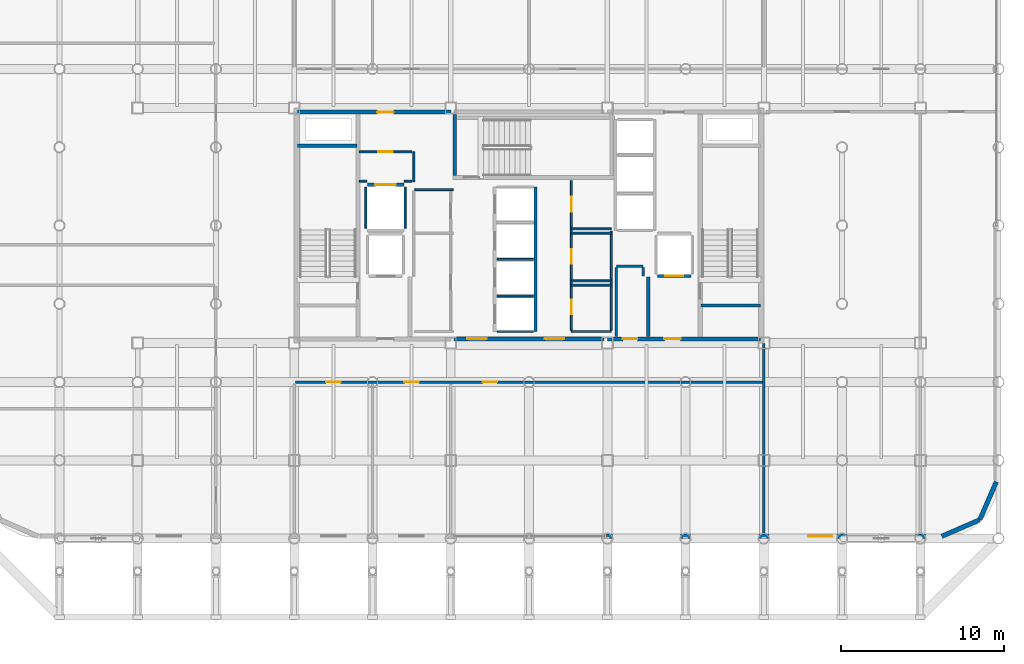
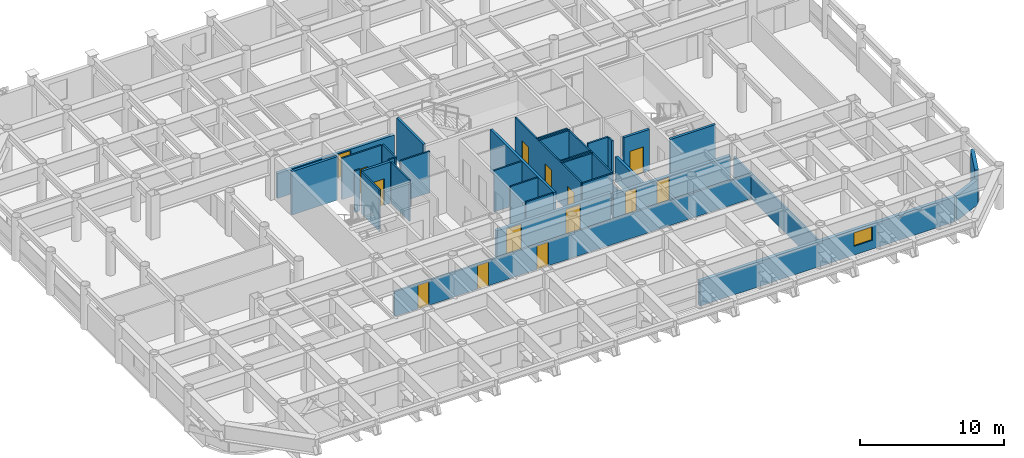
# One storey, part 21 of 24: 35 walls, 14 doors, 1 window, 15 openings.
"""IFC4 building model written with IfcOpenShell, lengths in metres."""

from ifc_helpers import new_model, si_unit, direction, frame, frame_2d, origin, place, context, subcontext, project, spatial, rectangle, extrude, material, layer, layer_set, type_object, element, fill, save


model = new_model("IFC4")

# Units and contexts
model_context = context("Model", 3, precision=1e-05, world=origin(), true_north=direction((0.0, 1.0)))
body_context = subcontext(model_context, "Body", "Model", "MODEL_VIEW")
ifc_project = project(units=[si_unit("LENGTHUNIT", "METRE"), si_unit("AREAUNIT", "SQUARE_METRE"), si_unit("VOLUMEUNIT", "CUBIC_METRE"), si_unit("PLANEANGLEUNIT", "RADIAN"), si_unit("MASSUNIT", "GRAM", prefix="KILO")], contexts=[model_context])

# Site, building, storey
site_placement = place(None, origin())
site = spatial("IfcSite", under=ifc_project, at=site_placement, CompositionType="ELEMENT")
building_placement = place(site_placement, origin())
building = spatial("IfcBuilding", under=site, at=building_placement, Name="Kallvorn Hotel Tower", CompositionType="ELEMENT")
storey_placement = place(building_placement, frame((0.0, 0.0, 150.699951171875)))
storey = spatial("IfcBuildingStorey", under=building, at=storey_placement, Name="L37", CompositionType="ELEMENT", Elevation=150.699951171875)

# Walls
ifc_material_1 = material(Name="Precast basalt-clad insulated concrete wall C40/50", Category="masonry")
ifc_layer_1 = layer(ifc_material_1, 0.280029296875)
ifc_layer_set_1 = layer_set([ifc_layer_1], Name="WL_EXT_LOGGIA_280")
wall_type_1 = type_object("IfcWallType", Name="WL_EXT_LOGGIA_280", PredefinedType="SOLIDWALL", material=ifc_layer_set_1)
wall_1_placement = place(storey_placement, frame((25.32080078125, -19.057861328125, 0.0), z_axis=(0.0, 0.0, 1.0), x_axis=(0.917060872934, 0.398747232384, 0.0)))
element("IfcWall", 1, at=wall_1_placement, inside=storey, type_object=wall_type_1, Name="L37 Rounded Corner Exterior Wall SE1", PredefinedType="SOLIDWALL", context=body_context, shape_type="SweptSolid", body=[
    extrude(rectangle(XDim=2.5361328125, YDim=0.280029296875, at=frame_2d((1.26806640625, 0.0))), origin(), (0.0, 0.0, 1.0), 2.1201171875),
])
wall_2_placement = place(storey_placement, frame((27.646484375, -18.046630859375, 0.0), z_axis=(0.0, 0.0, 1.0), x_axis=(0.398792985289, 0.917040977756, 0.0)))
element("IfcWall", 2, at=wall_2_placement, inside=storey, type_object=wall_type_1, Name="L37 Rounded Corner Exterior Wall SE2", PredefinedType="SOLIDWALL", context=body_context, shape_type="SweptSolid", body=[
    extrude(rectangle(XDim=2.536376953125, YDim=0.280029296875, at=frame_2d((1.26806640625, 0.0))), origin(), (0.0, 0.0, 1.0), 2.8701171875),
])

# Wall, opening, window
wall_3_placement = place(storey_placement, frame((4.75, -19.06005859375, 0.0), z_axis=(0.0, 0.0, 1.0), x_axis=(1.0, 0.0, 0.0)))
wall_3 = element("IfcWall", 3, at=wall_3_placement, inside=storey, type_object=wall_type_1, Name="L37 Exterior Envelope Wall EW-L37-SE", PredefinedType="SOLIDWALL", context=body_context, shape_type="SweptSolid", body=[
    extrude(rectangle(XDim=20.449951171875, YDim=0.280029296875, at=frame_2d((10.22509765625, 0.0))), origin(), (0.0, 0.0, 1.0), 2.1201171875),
])
opening_1_placement = place(wall_3_placement, frame((12.360107421875, 0.0, 0.75)))
opening_1 = element("IfcOpeningElement", 4, at=opening_1_placement, cuts=wall_3, Name="Opening W05A", PredefinedType="OPENING", context=body_context, shape_type="SweptSolid", body=[
    extrude(rectangle(XDim=1.5, YDim=1.14990234375, at=frame_2d((0.75, 0.574951171875))), frame((0.0, 0.155029296875, 0.0), z_axis=(0.0, -1.0, 0.0), x_axis=(1.0, 0.0, 0.0)), (0.0, 0.0, 1.0), 0.31005859375),
])
ifc_material_2 = material(Name="Double-glazed low-e solar-control dark glass", Category="glass")
window_type = type_object("IfcWindowType", Name="WN_HTL_1500x1150", PartitioningType="SINGLE_PANEL", PredefinedType="WINDOW", material=ifc_material_2)
window_placement = place(opening_1_placement, origin())
window = element("IfcWindow", 5, at=window_placement, inside=storey, type_object=window_type, Name="L37 Guestroom Exterior Window 05", OverallHeight=1.14990234375, OverallWidth=1.5, PartitioningType="SINGLE_PANEL", PredefinedType="WINDOW", context=body_context, shape_type="SweptSolid", body=[
    extrude(rectangle(XDim=1.5, YDim=1.14990234375, at=frame_2d((0.75, 0.574951171875))), frame((0.0, 0.030029296875, 0.0), z_axis=(0.0, -1.0, 0.0), x_axis=(1.0, 0.0, 0.0)), (0.0, 0.0, 1.0), 0.06005859375),
])
fill(opening_1, window)

# Walls
ifc_material_3 = material(Name="Concrete C40/50", Category="concrete")
ifc_layer_2 = layer(ifc_material_3, 0.219970703125)
ifc_layer_set_2 = layer_set([ifc_layer_2], Name="WL_FFL_220")
wall_type_2 = type_object("IfcWallType", Name="WL_FFL_220", PredefinedType="SOLIDWALL", material=ifc_layer_set_2)
wall_4_placement = place(storey_placement, frame((7.300048828125, -6.820068359375, 0.0), z_axis=(0.0, 0.0, 1.0), x_axis=(0.0, 1.0, 0.0)))
element("IfcWall", 6, at=wall_4_placement, inside=storey, type_object=wall_type_2, Name="L37 Firefighting Lobby East Divider Wall", PredefinedType="SOLIDWALL", context=body_context, shape_type="SweptSolid", body=[
    extrude(rectangle(XDim=3.670166015625, YDim=0.219970703125, at=frame_2d((1.8349609375, 0.0))), origin(), (0.0, 0.0, 1.0), 2.1201171875),
])
ifc_material_4 = material(Name="Concrete C40/50", Category="concrete")
ifc_layer_3 = layer(ifc_material_4, 0.199951171875)
ifc_layer_set_3 = layer_set([ifc_layer_3], Name="WL_HOIST_200")
wall_type_3 = type_object("IfcWallType", Name="WL_HOIST_200", PredefinedType="SOLIDWALL", material=ifc_layer_set_3)
for number, where, z_axis, x_axis, name in (
    (7, (-14.199951171875, 4.89990234375, -0.179931640625), (0.0, 0.0, 1.0), (1.0, 0.0, 0.0), "L37 Stair ST1 North Wall"),
    (8, (10.550048828125, -4.89990234375, -0.179931640625), (0.0, 0.0, 1.0), (1.0, 0.0, 0.0), "L37 Stair ST2 South Wall"),
):
    element("IfcWall", number, at=place(storey_placement, frame(where, z_axis=z_axis, x_axis=x_axis)), inside=storey, type_object=wall_type_3, Name=name, PredefinedType="SOLIDWALL", context=body_context, shape_type="SweptSolid", body=[
        extrude(rectangle(XDim=3.64990234375, YDim=0.199951171875, at=frame_2d((1.824951171875, 0.0))), origin(), (0.0, 0.0, 1.0), 3.699951171875),
    ])
wall_5_placement = place(storey_placement, frame((-4.550048828125, 3.080078125, -0.179931640625), z_axis=(0.0, 0.0, 1.0), x_axis=(0.0, 1.0, 0.0)))
element("IfcWall", 9, at=wall_5_placement, inside=storey, type_object=wall_type_3, Name="L37 Stair ST3 West Wall", PredefinedType="SOLIDWALL", context=body_context, shape_type="SweptSolid", body=[
    extrude(rectangle(XDim=3.739990234375, YDim=0.199951171875, at=frame_2d((1.8701171875, 0.0))), origin(), (0.0, 0.0, 1.0), 3.699951171875),
])
wall_6_placement = place(storey_placement, frame((0.39990234375, -6.5, 0.0), z_axis=(0.0, 0.0, 1.0), x_axis=(0.0, 1.0, 0.0)))
element("IfcWall", 10, at=wall_6_placement, inside=storey, type_object=wall_type_3, Name="L37 Lift Bank B2 Rear Shaft Wall", PredefinedType="SOLIDWALL", context=body_context, shape_type="SweptSolid", body=[
    extrude(rectangle(XDim=8.85009765625, YDim=0.199951171875, at=frame_2d((4.425048828125, 0.0))), origin(), (0.0, 0.0, 1.0), 3.52001953125),
])

# Wall, opening, door
wall_7_placement = place(storey_placement, frame((7.8798828125, -3.10009765625, 0.0), z_axis=(0.0, 0.0, 1.0), x_axis=(1.0, 0.0, 0.0)))
wall_7 = element("IfcWall", 11, at=wall_7_placement, inside=storey, type_object=wall_type_3, Name="L37 FL-2 Landing Wall", PredefinedType="SOLIDWALL", context=body_context, shape_type="SweptSolid", body=[
    extrude(rectangle(XDim=2.0400390625, YDim=0.199951171875, at=frame_2d((1.02001953125, 0.0))), origin(), (0.0, 0.0, 1.0), 3.52001953125),
])
opening_2_placement = place(wall_7_placement, frame((0.469970703125, 0.0, 0.0)))
opening_2 = element("IfcOpeningElement", 12, at=opening_2_placement, cuts=wall_7, Name="Opening LD-FL-2", PredefinedType="OPENING", context=body_context, shape_type="SweptSolid", body=[
    extrude(rectangle(XDim=1.10009765625, YDim=2.199951171875, at=frame_2d((0.550048828125, 1.10009765625))), frame((0.0, 0.114990234375, 0.0), z_axis=(0.0, -1.0, 0.0), x_axis=(1.0, 0.0, 0.0)), (0.0, 0.0, 1.0), 0.22998046875),
])
ifc_material_5 = material(Name="Brushed stainless-steel automatic sliding lift landing door", Category="steel")
door_type_1 = type_object("IfcDoorType", Name="LD_PASS_1100x2200", OperationType="SLIDING_TO_LEFT", PredefinedType="DOOR", material=ifc_material_5)
door_1_placement = place(opening_2_placement, origin())
door_1 = element("IfcDoor", 13, at=door_1_placement, inside=storey, type_object=door_type_1, Name="L37 Lift Landing Sliding Door LD-FL-2", OperationType="SLIDING_TO_LEFT", OverallHeight=2.199951171875, OverallWidth=1.10009765625, PredefinedType="DOOR", context=body_context, shape_type="SweptSolid", body=[
    extrude(rectangle(XDim=1.10009765625, YDim=2.199951171875, at=frame_2d((0.550048828125, 1.10009765625))), frame((0.0, 0.02490234375, 0.0), z_axis=(0.0, -1.0, 0.0), x_axis=(1.0, 0.0, 0.0)), (0.0, 0.0, 1.0), 0.050048828125),
])
fill(opening_2, door_1)

wall_8_placement = place(storey_placement, frame((-9.919921875, 2.5, 0.0), z_axis=(0.0, 0.0, 1.0), x_axis=(1.0, 0.0, 0.0)))
wall_8 = element("IfcWall", 14, at=wall_8_placement, inside=storey, type_object=wall_type_3, Name="L37 SV-01 Landing Wall", PredefinedType="SOLIDWALL", context=body_context, shape_type="SweptSolid", body=[
    extrude(rectangle(XDim=2.239990234375, YDim=0.199951171875, at=frame_2d((1.1201171875, 0.0))), origin(), (0.0, 0.0, 1.0), 3.52001953125),
])
opening_3_placement = place(wall_8_placement, frame((0.4951171875, 0.0, 0.0)))
opening_3 = element("IfcOpeningElement", 15, at=opening_3_placement, cuts=wall_8, Name="Opening LD-SV-01", PredefinedType="OPENING", context=body_context, shape_type="SweptSolid", body=[
    extrude(rectangle(XDim=1.25, YDim=2.25, at=frame_2d((0.625, 1.125))), frame((0.0, 0.114990234375, 0.0), z_axis=(0.0, -1.0, 0.0), x_axis=(1.0, 0.0, 0.0)), (0.0, 0.0, 1.0), 0.22998046875),
])
ifc_material_6 = material(Name="Brushed stainless-steel automatic sliding lift landing door", Category="steel")
door_type_2 = type_object("IfcDoorType", Name="LD_SERV_1250x2250", OperationType="SLIDING_TO_LEFT", PredefinedType="DOOR", material=ifc_material_6)
door_2_placement = place(opening_3_placement, origin())
door_2 = element("IfcDoor", 16, at=door_2_placement, inside=storey, type_object=door_type_2, Name="L37 Lift Landing Sliding Door LD-SV-01", OperationType="SLIDING_TO_LEFT", OverallHeight=2.25, OverallWidth=1.25, PredefinedType="DOOR", context=body_context, shape_type="SweptSolid", body=[
    extrude(rectangle(XDim=1.25, YDim=2.25, at=frame_2d((0.625, 1.125))), frame((0.0, 0.02490234375, 0.0), z_axis=(0.0, -1.0, 0.0), x_axis=(1.0, 0.0, 0.0)), (0.0, 0.0, 1.0), 0.050048828125),
])
fill(opening_3, door_2)

# Walls
ifc_material_7 = material(Name="Fire-rated double-layer acoustic gypsum drywall EI 60")
ifc_layer_4 = layer(ifc_material_7, 0.1201171875)
ifc_layer_set_4 = layer_set([ifc_layer_4], Name="WL_INT_120")
wall_type_4 = type_object("IfcWallType", Name="WL_INT_120", PredefinedType="PARTITIONING", material=ifc_layer_set_4)
for number, where, z_axis, x_axis, name in (
    (17, (-1.9599609375, -6.5, 0.0), (0.0, 0.0, 1.0), (1.0, 0.0, 0.0), "L37 Lift Bank B2 South Closure Wall"),
    (18, (-1.9599609375, -4.324951171875, 0.0), (0.0, 0.0, 1.0), (1.0, 0.0, 0.0), "L37 PL-05 Hoistway Divider"),
    (19, (-1.9599609375, -2.074951171875, 0.0), (0.0, 0.0, 1.0), (1.0, 0.0, 0.0), "L37 PL-06 Hoistway Divider"),
):
    element("IfcWall", number, at=place(storey_placement, frame(where, z_axis=z_axis, x_axis=x_axis)), inside=storey, type_object=wall_type_4, Name=name, PredefinedType="PARTITIONING", context=body_context, shape_type="SweptSolid", body=[
        extrude(rectangle(XDim=2.219970703125, YDim=0.1201171875, at=frame_2d((1.10986328125, 0.0))), origin(), (0.0, 0.0, 1.0), 3.52001953125),
    ])
for number, where, z_axis, x_axis, name in (
    (20, (-10.0, -0.159912109375, 0.0), (0.0, 0.0, 1.0), (0.0, 1.0, 0.0), "L37 SV-01 West Shaft Wall"),
    (21, (-7.60009765625, -0.159912109375, 0.0), (0.0, 0.0, 1.0), (0.0, 1.0, 0.0), "L37 SV-01 East Shaft Wall"),
):
    element("IfcWall", number, at=place(storey_placement, frame(where, z_axis=z_axis, x_axis=x_axis)), inside=storey, type_object=wall_type_4, Name=name, PredefinedType="PARTITIONING", context=body_context, shape_type="SweptSolid", body=[
        extrude(rectangle(XDim=2.52001953125, YDim=0.1201171875, at=frame_2d((1.260009765625, 0.0))), origin(), (0.0, 0.0, 1.0), 3.52001953125),
    ])
for number, where, z_axis, x_axis, name in (
    (22, (2.60009765625, -6.5, 0.0), (0.0, 0.0, 1.0), (1.0, 0.0, 0.0), "L37 East Core Minibar Store Partition"),
    (23, (2.60009765625, -3.659912109375, 0.0), (0.0, 0.0, 1.0), (1.0, 0.0, 0.0), "L37 East Core Minibar Store Partition"),
    (24, (2.60009765625, -3.39990234375, 0.0), (0.0, 0.0, 1.0), (1.0, 0.0, 0.0), "L37 East Core Housekeeping Supply Closet Partition"),
    (25, (2.60009765625, -0.466796875, 0.0), (0.0, 0.0, 1.0), (1.0, 0.0, 0.0), "L37 East Core Housekeeping Supply Closet Partition"),
    (26, (2.60009765625, -0.199951171875, 0.0), (0.0, 0.0, 1.0), (1.0, 0.0, 0.0), "L37 East Core Cleaners Room Partition"),
):
    element("IfcWall", number, at=place(storey_placement, frame(where, z_axis=z_axis, x_axis=x_axis)), inside=storey, type_object=wall_type_4, Name=name, PredefinedType="PARTITIONING", context=body_context, shape_type="SweptSolid", body=[
        extrude(rectangle(XDim=2.449951171875, YDim=0.1201171875, at=frame_2d((1.22509765625, 0.0))), origin(), (0.0, 0.0, 1.0), 3.52001953125),
    ])
wall_9_placement = place(storey_placement, frame((-7.0, 2.199951171875, 0.0), z_axis=(0.0, 0.0, 1.0), x_axis=(1.0, 0.0, 0.0)))
element("IfcWall", 27, at=wall_9_placement, inside=storey, type_object=wall_type_4, Name="L37 Recaptured Housekeeping Prep Room Partition", PredefinedType="PARTITIONING", context=body_context, shape_type="SweptSolid", body=[
    extrude(rectangle(XDim=2.35009765625, YDim=0.1201171875, at=frame_2d((1.175048828125, 0.0))), origin(), (0.0, 0.0, 1.0), 3.52001953125),
])
for number, where, z_axis, x_axis, name in (
    (28, (-10.39990234375, 2.72509765625, 0.0), (0.0, 0.0, 1.0), (1.0, 0.0, 0.0), "L37 Core Telecom and Metering Store Partition"),
    (29, (-7.639892578125, 2.72509765625, 0.0), (0.0, 0.0, 1.0), (1.0, 0.0, 0.0), "L37 Core Telecom and Metering Store Partition"),
):
    element("IfcWall", number, at=place(storey_placement, frame(where, z_axis=z_axis, x_axis=x_axis)), inside=storey, type_object=wall_type_4, Name=name, PredefinedType="PARTITIONING", context=body_context, shape_type="SweptSolid", body=[
        extrude(rectangle(XDim=0.43994140625, YDim=0.1201171875, at=frame_2d((0.219970703125, 0.0))), origin(), (0.0, 0.0, 1.0), 3.52001953125),
    ])

# Wall, opening, door
wall_10_placement = place(storey_placement, frame((-10.39990234375, 4.52001953125, 0.0), z_axis=(0.0, 0.0, 1.0), x_axis=(1.0, 0.0, 0.0)))
wall_10 = element("IfcWall", 30, at=wall_10_placement, inside=storey, type_object=wall_type_4, Name="L37 Core Telecom and Metering Store Partition", PredefinedType="PARTITIONING", context=body_context, shape_type="SweptSolid", body=[
    extrude(rectangle(XDim=3.199951171875, YDim=0.1201171875, at=frame_2d((1.60009765625, 0.0))), origin(), (0.0, 0.0, 1.0), 3.52001953125),
])
opening_4_placement = place(wall_10_placement, frame((1.14990234375, 0.0, 0.0)))
opening_4 = element("IfcOpeningElement", 31, at=opening_4_placement, cuts=wall_10, Name="Opening SVD1", PredefinedType="OPENING", context=body_context, shape_type="SweptSolid", body=[
    extrude(rectangle(XDim=0.89990234375, YDim=2.10009765625, at=frame_2d((0.449951171875, 1.050048828125))), frame((0.0, 0.074951171875, 0.0), z_axis=(0.0, -1.0, 0.0), x_axis=(1.0, 0.0, 0.0)), (0.0, 0.0, 1.0), 0.150146484375),
])
ifc_material_8 = material(Name="Galvanised painted steel fire-rated door assembly", Category="steel")
door_type_3 = type_object("IfcDoorType", Name="DR_SERV_900x2100", OperationType="NOTDEFINED", PredefinedType="DOOR", material=ifc_material_8)
door_3_placement = place(opening_4_placement, origin())
door_3 = element("IfcDoor", 32, at=door_3_placement, inside=storey, type_object=door_type_3, Name="L37 Core Telecom and Metering Store Door", OperationType="SINGLE_SWING_LEFT", OverallHeight=2.10009765625, OverallWidth=0.89990234375, PredefinedType="DOOR", context=body_context, shape_type="SweptSolid", body=[
    extrude(rectangle(XDim=0.89990234375, YDim=2.10009765625, at=frame_2d((0.449951171875, 1.050048828125))), frame((0.0, 0.02490234375, 0.0), z_axis=(0.0, -1.0, 0.0), x_axis=(1.0, 0.0, 0.0)), (0.0, 0.0, 1.0), 0.050048828125),
])
fill(opening_4, door_3)

# Wall
wall_11_placement = place(storey_placement, frame((-7.066650390625, 2.699951171875, 0.0), z_axis=(0.0, 0.0, 1.0), x_axis=(0.0, 1.0, 0.0)))
element("IfcWall", 33, at=wall_11_placement, inside=storey, type_object=wall_type_4, Name="L37 Core Telecom and Metering Store Partition", PredefinedType="PARTITIONING", context=body_context, shape_type="SweptSolid", body=[
    extrude(rectangle(XDim=1.820068359375, YDim=0.1201171875, at=frame_2d((0.91015625, 0.0))), origin(), (0.0, 0.0, 1.0), 3.52001953125),
])

# Wall, openings, doors
wall_12_placement = place(storey_placement, frame((2.60009765625, -6.4150390625, 0.0), z_axis=(0.0, 0.0, 1.0), x_axis=(0.0, 1.0, 0.0)))
wall_12 = element("IfcWall", 34, at=wall_12_placement, inside=storey, type_object=wall_type_4, Name="L37 East Core Minibar Store Partition", PredefinedType="PARTITIONING", context=body_context, shape_type="SweptSolid", body=[
    extrude(rectangle(XDim=9.1650390625, YDim=0.1201171875, at=frame_2d((4.58251953125, 0.0))), origin(), (0.0, 0.0, 1.0), 3.52001953125),
])
opening_5_placement = place(wall_12_placement, frame((0.965087890625, 0.0, 0.0)))
opening_5 = element("IfcOpeningElement", 35, at=opening_5_placement, cuts=wall_12, Name="Opening SVD1", PredefinedType="OPENING", context=body_context, shape_type="SweptSolid", body=[
    extrude(rectangle(XDim=0.89990234375, YDim=2.10009765625, at=frame_2d((0.449951171875, 1.050048828125))), frame((0.0, 0.074951171875, 0.0), z_axis=(0.0, -1.0, 0.0), x_axis=(1.0, 0.0, 0.0)), (0.0, 0.0, 1.0), 0.150146484375),
])
opening_6_placement = place(wall_12_placement, frame((4.06494140625, 0.0, 0.0)))
opening_6 = element("IfcOpeningElement", 36, at=opening_6_placement, cuts=wall_12, Name="Opening SVD1", PredefinedType="OPENING", context=body_context, shape_type="SweptSolid", body=[
    extrude(rectangle(XDim=0.89990234375, YDim=2.10009765625, at=frame_2d((0.449951171875, 1.050048828125))), frame((0.0, 0.074951171875, 0.0), z_axis=(0.0, -1.0, 0.0), x_axis=(1.0, 0.0, 0.0)), (0.0, 0.0, 1.0), 0.150146484375),
])
opening_7_placement = place(wall_12_placement, frame((7.264892578125, 0.0, 0.0)))
opening_7 = element("IfcOpeningElement", 37, at=opening_7_placement, cuts=wall_12, Name="Opening SVD1", PredefinedType="OPENING", context=body_context, shape_type="SweptSolid", body=[
    extrude(rectangle(XDim=0.89990234375, YDim=2.10009765625, at=frame_2d((0.449951171875, 1.050048828125))), frame((0.0, 0.074951171875, 0.0), z_axis=(0.0, -1.0, 0.0), x_axis=(1.0, 0.0, 0.0)), (0.0, 0.0, 1.0), 0.150146484375),
])
door_4_placement = place(opening_5_placement, origin())
door_4 = element("IfcDoor", 38, at=door_4_placement, inside=storey, type_object=door_type_3, Name="L37 East Core Minibar Store Door", OperationType="SINGLE_SWING_RIGHT", OverallHeight=2.10009765625, OverallWidth=0.89990234375, PredefinedType="DOOR", context=body_context, shape_type="SweptSolid", body=[
    extrude(rectangle(XDim=0.89990234375, YDim=2.10009765625, at=frame_2d((0.449951171875, 1.050048828125))), frame((0.0, 0.02490234375, 0.0), z_axis=(0.0, -1.0, 0.0), x_axis=(1.0, 0.0, 0.0)), (0.0, 0.0, 1.0), 0.050048828125),
])
fill(opening_5, door_4)
door_5_placement = place(opening_6_placement, origin())
door_5 = element("IfcDoor", 39, at=door_5_placement, inside=storey, type_object=door_type_3, Name="L37 East Core Housekeeping Supply Closet Door", OperationType="SINGLE_SWING_LEFT", OverallHeight=2.10009765625, OverallWidth=0.89990234375, PredefinedType="DOOR", context=body_context, shape_type="SweptSolid", body=[
    extrude(rectangle(XDim=0.89990234375, YDim=2.10009765625, at=frame_2d((0.449951171875, 1.050048828125))), frame((0.0, 0.02490234375, 0.0), z_axis=(0.0, -1.0, 0.0), x_axis=(1.0, 0.0, 0.0)), (0.0, 0.0, 1.0), 0.050048828125),
])
fill(opening_6, door_5)
door_6_placement = place(opening_7_placement, origin())
door_6 = element("IfcDoor", 40, at=door_6_placement, inside=storey, type_object=door_type_3, Name="L37 East Core Cleaners Room Door", OperationType="SINGLE_SWING_RIGHT", OverallHeight=2.10009765625, OverallWidth=0.89990234375, PredefinedType="DOOR", context=body_context, shape_type="SweptSolid", body=[
    extrude(rectangle(XDim=0.89990234375, YDim=2.10009765625, at=frame_2d((0.449951171875, 1.050048828125))), frame((0.0, 0.02490234375, 0.0), z_axis=(0.0, -1.0, 0.0), x_axis=(1.0, 0.0, 0.0)), (0.0, 0.0, 1.0), 0.050048828125),
])
fill(opening_7, door_6)

# Wall
wall_13_placement = place(storey_placement, frame((5.050048828125, -6.4150390625, 0.0), z_axis=(0.0, 0.0, 1.0), x_axis=(0.0, 1.0, 0.0)))
element("IfcWall", 41, at=wall_13_placement, inside=storey, type_object=wall_type_4, Name="L37 East Core Minibar Store Partition", PredefinedType="PARTITIONING", context=body_context, shape_type="SweptSolid", body=[
    extrude(rectangle(XDim=6.074951171875, YDim=0.1201171875, at=frame_2d((3.03759765625, 0.0))), origin(), (0.0, 0.0, 1.0), 3.52001953125),
])

# Wall, openings, doors
ifc_material_9 = material(Name="Fire-rated double-layer acoustic gypsum drywall EI 60")
ifc_layer_5 = layer(ifc_material_9, 0.14990234375)
ifc_layer_set_5 = layer_set([ifc_layer_5], Name="WL_PART_150")
wall_type_5 = type_object("IfcWallType", Name="WL_PART_150", PredefinedType="PARTITIONING", material=ifc_layer_set_5)
wall_14_placement = place(storey_placement, frame((-14.320068359375, -9.60009765625, 0.0), z_axis=(0.0, 0.0, 1.0), x_axis=(1.0, 0.0, 0.0)))
wall_14 = element("IfcWall", 42, at=wall_14_placement, inside=storey, type_object=wall_type_5, Name="L37 L37 Thermal Hydrotherapy Treatment Suite 1-1 Partition", PredefinedType="PARTITIONING", context=body_context, shape_type="SweptSolid", body=[
    extrude(rectangle(XDim=28.64013671875, YDim=0.14990234375, at=frame_2d((14.320068359375, 0.0))), origin(), (0.0, 0.0, 1.0), 2.1201171875),
])
opening_8_placement = place(wall_14_placement, frame((1.8701171875, 0.0, 0.0)))
opening_8 = element("IfcOpeningElement", 43, at=opening_8_placement, cuts=wall_14, Name="Opening SVD1A", PredefinedType="OPENING", context=body_context, shape_type="SweptSolid", body=[
    extrude(rectangle(XDim=0.89990234375, YDim=2.02001953125, at=frame_2d((0.449951171875, 1.010009765625))), frame((0.0, 0.08984375, 0.0), z_axis=(0.0, -1.0, 0.0), x_axis=(1.0, 0.0, 0.0)), (0.0, 0.0, 1.0), 0.179931640625),
])
opening_9_placement = place(wall_14_placement, frame((6.669921875, 0.0, 0.0)))
opening_9 = element("IfcOpeningElement", 44, at=opening_9_placement, cuts=wall_14, Name="Opening SVD1A", PredefinedType="OPENING", context=body_context, shape_type="SweptSolid", body=[
    extrude(rectangle(XDim=0.89990234375, YDim=2.02001953125, at=frame_2d((0.449951171875, 1.010009765625))), frame((0.0, 0.08984375, 0.0), z_axis=(0.0, -1.0, 0.0), x_axis=(1.0, 0.0, 0.0)), (0.0, 0.0, 1.0), 0.179931640625),
])
opening_10_placement = place(wall_14_placement, frame((11.469970703125, 0.0, 0.0)))
opening_10 = element("IfcOpeningElement", 45, at=opening_10_placement, cuts=wall_14, Name="Opening SVD1A", PredefinedType="OPENING", context=body_context, shape_type="SweptSolid", body=[
    extrude(rectangle(XDim=0.89990234375, YDim=2.02001953125, at=frame_2d((0.449951171875, 1.010009765625))), frame((0.0, 0.08984375, 0.0), z_axis=(0.0, -1.0, 0.0), x_axis=(1.0, 0.0, 0.0)), (0.0, 0.0, 1.0), 0.179931640625),
])
ifc_material_10 = material(Name="Galvanised painted steel fire-rated door assembly", Category="steel")
door_type_4 = type_object("IfcDoorType", Name="DR_SERV_900x2020", OperationType="NOTDEFINED", PredefinedType="DOOR", material=ifc_material_10)
door_7_placement = place(opening_8_placement, origin())
door_7 = element("IfcDoor", 46, at=door_7_placement, inside=storey, type_object=door_type_4, Name="L37 L37 Thermal Hydrotherapy Treatment Suite 1-1 Door", OperationType="SINGLE_SWING_LEFT", OverallHeight=2.02001953125, OverallWidth=0.89990234375, PredefinedType="DOOR", context=body_context, shape_type="SweptSolid", body=[
    extrude(rectangle(XDim=0.89990234375, YDim=2.02001953125, at=frame_2d((0.449951171875, 1.010009765625))), frame((0.0, 0.02490234375, 0.0), z_axis=(0.0, -1.0, 0.0), x_axis=(1.0, 0.0, 0.0)), (0.0, 0.0, 1.0), 0.050048828125),
])
fill(opening_8, door_7)
door_8_placement = place(opening_9_placement, origin())
door_8 = element("IfcDoor", 47, at=door_8_placement, inside=storey, type_object=door_type_4, Name="L37 L37 Thermal Hydrotherapy Treatment Suite 1-2 Door", OperationType="SINGLE_SWING_RIGHT", OverallHeight=2.02001953125, OverallWidth=0.89990234375, PredefinedType="DOOR", context=body_context, shape_type="SweptSolid", body=[
    extrude(rectangle(XDim=0.89990234375, YDim=2.02001953125, at=frame_2d((0.449951171875, 1.010009765625))), frame((0.0, 0.02490234375, 0.0), z_axis=(0.0, -1.0, 0.0), x_axis=(1.0, 0.0, 0.0)), (0.0, 0.0, 1.0), 0.050048828125),
])
fill(opening_9, door_8)
door_9_placement = place(opening_10_placement, origin())
door_9 = element("IfcDoor", 48, at=door_9_placement, inside=storey, type_object=door_type_4, Name="L37 L37 Restaurant Culinary Catering Kitchen 2 Door", OperationType="SINGLE_SWING_LEFT", OverallHeight=2.02001953125, OverallWidth=0.89990234375, PredefinedType="DOOR", context=body_context, shape_type="SweptSolid", body=[
    extrude(rectangle(XDim=0.89990234375, YDim=2.02001953125, at=frame_2d((0.449951171875, 1.010009765625))), frame((0.0, 0.02490234375, 0.0), z_axis=(0.0, -1.0, 0.0), x_axis=(1.0, 0.0, 0.0)), (0.0, 0.0, 1.0), 0.050048828125),
])
fill(opening_10, door_9)

# Walls
wall_15_placement = place(storey_placement, frame((14.39990234375, -18.909912109375, 0.0), z_axis=(0.0, 0.0, 1.0), x_axis=(0.0, 1.0, 0.0)))
element("IfcWall", 49, at=wall_15_placement, inside=storey, type_object=wall_type_5, Name="L37 L37 Restaurant Culinary Catering Kitchen 2 Partition", PredefinedType="PARTITIONING", context=body_context, shape_type="SweptSolid", body=[
    extrude(rectangle(XDim=11.669921875, YDim=0.14990234375, at=frame_2d((5.8349609375, 0.0))), origin(), (0.0, 0.0, 1.0), 2.1201171875),
])
ifc_material_11 = material(Name="Moisture-resistant acoustic plumbing chase wall EI 60")
ifc_layer_6 = layer(ifc_material_11, 0.139892578125)
ifc_layer_set_6 = layer_set([ifc_layer_6], Name="WL_PLUMB_140")
wall_type_6 = type_object("IfcWallType", Name="WL_PLUMB_140", PredefinedType="PLUMBINGWALL", material=ifc_layer_set_6)
wall_16_placement = place(storey_placement, frame((5.35009765625, -2.5, 0.0), z_axis=(0.0, 0.0, 1.0), x_axis=(1.0, 0.0, 0.0)))
element("IfcWall", 50, at=wall_16_placement, inside=storey, type_object=wall_type_6, Name="L37 Core Accessible Staff WC Partition", PredefinedType="PLUMBINGWALL", context=body_context, shape_type="SweptSolid", body=[
    extrude(rectangle(XDim=1.64990234375, YDim=0.139892578125, at=frame_2d((0.824951171875, 0.0))), origin(), (0.0, 0.0, 1.0), 3.52001953125),
])
wall_17_placement = place(storey_placement, frame((5.35009765625, -6.800048828125, 0.0), z_axis=(0.0, 0.0, 1.0), x_axis=(0.0, 1.0, 0.0)))
element("IfcWall", 51, at=wall_17_placement, inside=storey, type_object=wall_type_6, Name="L37 Core Accessible Staff WC Partition", PredefinedType="PLUMBINGWALL", context=body_context, shape_type="SweptSolid", body=[
    extrude(rectangle(XDim=4.215087890625, YDim=0.139892578125, at=frame_2d((2.107421875, 0.0))), origin(), (0.0, 0.0, 1.0), 2.1201171875),
])
wall_18_placement = place(storey_placement, frame((7.0, -3.110107421875, 0.0), z_axis=(0.0, 0.0, 1.0), x_axis=(0.0, 1.0, 0.0)))
element("IfcWall", 52, at=wall_18_placement, inside=storey, type_object=wall_type_6, Name="L37 Core Accessible Staff WC Partition", PredefinedType="PLUMBINGWALL", context=body_context, shape_type="SweptSolid", body=[
    extrude(rectangle(XDim=0.525146484375, YDim=0.139892578125, at=frame_2d((0.2626953125, 0.0))), origin(), (0.0, 0.0, 1.0), 3.52001953125),
])

# Wall, openings, doors
ifc_material_12 = material(Name="Concrete C40/50", Category="concrete")
ifc_layer_7 = layer(ifc_material_12, 0.25)
ifc_layer_set_7 = layer_set([ifc_layer_7], Name="WL_SHAFT_250")
wall_type_7 = type_object("IfcWallType", Name="WL_SHAFT_250", PredefinedType="SOLIDWALL", material=ifc_layer_set_7)
wall_19_placement = place(storey_placement, frame((-4.60009765625, -6.949951171875, 0.0), z_axis=(0.0, 0.0, 1.0), x_axis=(1.0, 0.0, 0.0)))
wall_19 = element("IfcWall", 53, at=wall_19_placement, inside=storey, type_object=wall_type_7, Name="L37 Core South-Central Wall", PredefinedType="SOLIDWALL", context=body_context, shape_type="SweptSolid", body=[
    extrude(rectangle(XDim=9.2001953125, YDim=0.25, at=frame_2d((4.60009765625, 0.0))), origin(), (0.0, 0.0, 1.0), 2.320068359375),
])
opening_11_placement = place(wall_19_placement, frame((0.800048828125, 0.0, 0.0)))
opening_11 = element("IfcOpeningElement", 54, at=opening_11_placement, cuts=wall_19, Name="Opening FD2", PredefinedType="OPENING", context=body_context, shape_type="SweptSolid", body=[
    extrude(rectangle(XDim=1.199951171875, YDim=2.199951171875, at=frame_2d((0.60009765625, 1.10009765625))), frame((0.0, 0.139892578125, 0.0), z_axis=(0.0, -1.0, 0.0), x_axis=(1.0, 0.0, 0.0)), (0.0, 0.0, 1.0), 0.280029296875),
])
opening_12_placement = place(wall_19_placement, frame((5.550048828125, 0.0, 0.0)))
opening_12 = element("IfcOpeningElement", 55, at=opening_12_placement, cuts=wall_19, Name="Opening FD2", PredefinedType="OPENING", context=body_context, shape_type="SweptSolid", body=[
    extrude(rectangle(XDim=1.199951171875, YDim=2.199951171875, at=frame_2d((0.60009765625, 1.10009765625))), frame((0.0, 0.139892578125, 0.0), z_axis=(0.0, -1.0, 0.0), x_axis=(1.0, 0.0, 0.0)), (0.0, 0.0, 1.0), 0.280029296875),
])
ifc_material_13 = material(Name="Galvanised painted steel fire-rated door assembly", Category="steel")
door_type_5 = type_object("IfcDoorType", Name="DR_LOBBY_1200x2200", OperationType="DOUBLE_DOOR_SINGLE_SWING", PredefinedType="DOOR", material=ifc_material_13)
door_10_placement = place(opening_11_placement, origin())
door_10 = element("IfcDoor", 56, at=door_10_placement, inside=storey, type_object=door_type_5, Name="L37 West Passenger Lift Lobby Door", OperationType="DOUBLE_DOOR_SINGLE_SWING", OverallHeight=2.199951171875, OverallWidth=1.199951171875, PredefinedType="DOOR", context=body_context, shape_type="SweptSolid", body=[
    extrude(rectangle(XDim=1.199951171875, YDim=2.199951171875, at=frame_2d((0.60009765625, 1.10009765625))), frame((0.0, 0.02490234375, 0.0), z_axis=(0.0, -1.0, 0.0), x_axis=(1.0, 0.0, 0.0)), (0.0, 0.0, 1.0), 0.050048828125),
])
fill(opening_11, door_10)
door_11_placement = place(opening_12_placement, origin())
door_11 = element("IfcDoor", 57, at=door_11_placement, inside=storey, type_object=door_type_5, Name="L37 East Passenger Lift Lobby Door", OperationType="DOUBLE_DOOR_SINGLE_SWING", OverallHeight=2.199951171875, OverallWidth=1.199951171875, PredefinedType="DOOR", context=body_context, shape_type="SweptSolid", body=[
    extrude(rectangle(XDim=1.199951171875, YDim=2.199951171875, at=frame_2d((0.60009765625, 1.10009765625))), frame((0.0, 0.02490234375, 0.0), z_axis=(0.0, -1.0, 0.0), x_axis=(1.0, 0.0, 0.0)), (0.0, 0.0, 1.0), 0.050048828125),
])
fill(opening_12, door_11)

wall_20_placement = place(storey_placement, frame((4.800048828125, -6.949951171875, 0.0), z_axis=(0.0, 0.0, 1.0), x_axis=(1.0, 0.0, 0.0)))
wall_20 = element("IfcWall", 58, at=wall_20_placement, inside=storey, type_object=wall_type_7, Name="L37 Core South-East Wall", PredefinedType="SOLIDWALL", context=body_context, shape_type="SweptSolid", body=[
    extrude(rectangle(XDim=9.39990234375, YDim=0.25, at=frame_2d((4.699951171875, 0.0))), origin(), (0.0, 0.0, 1.0), 2.1201171875),
])
opening_13_placement = place(wall_20_placement, frame((3.5, 0.0, 0.0)))
opening_13 = element("IfcOpeningElement", 59, at=opening_13_placement, cuts=wall_20, Name="Opening FD1A", PredefinedType="OPENING", context=body_context, shape_type="SweptSolid", body=[
    extrude(rectangle(XDim=1.0, YDim=2.02001953125, at=frame_2d((0.5, 1.010009765625))), frame((0.0, 0.139892578125, 0.0), z_axis=(0.0, -1.0, 0.0), x_axis=(1.0, 0.0, 0.0)), (0.0, 0.0, 1.0), 0.280029296875),
])
opening_14_placement = place(wall_20_placement, frame((0.949951171875, 0.0, 0.0)))
opening_14 = element("IfcOpeningElement", 60, at=opening_14_placement, cuts=wall_20, Name="Opening SVD1A", PredefinedType="OPENING", context=body_context, shape_type="SweptSolid", body=[
    extrude(rectangle(XDim=0.89990234375, YDim=2.02001953125, at=frame_2d((0.449951171875, 1.010009765625))), frame((0.0, 0.139892578125, 0.0), z_axis=(0.0, -1.0, 0.0), x_axis=(1.0, 0.0, 0.0)), (0.0, 0.0, 1.0), 0.280029296875),
])
ifc_material_14 = material(Name="Galvanised painted steel fire-rated door assembly", Category="steel")
door_type_6 = type_object("IfcDoorType", Name="DR_FFL_1000x2020", OperationType="NOTDEFINED", PredefinedType="DOOR", material=ifc_material_14)
door_12_placement = place(opening_13_placement, origin())
door_12 = element("IfcDoor", 61, at=door_12_placement, inside=storey, type_object=door_type_6, Name="L37 Firefighting Lobby East Door", OperationType="SINGLE_SWING_RIGHT", OverallHeight=2.02001953125, OverallWidth=1.0, PredefinedType="DOOR", context=body_context, shape_type="SweptSolid", body=[
    extrude(rectangle(XDim=1.0, YDim=2.02001953125, at=frame_2d((0.5, 1.010009765625))), frame((0.0, 0.02490234375, 0.0), z_axis=(0.0, -1.0, 0.0), x_axis=(1.0, 0.0, 0.0)), (0.0, 0.0, 1.0), 0.050048828125),
])
fill(opening_13, door_12)
door_13_placement = place(opening_14_placement, origin())
door_13 = element("IfcDoor", 62, at=door_13_placement, inside=storey, type_object=door_type_4, Name="L37 Core Accessible Staff WC Door", OperationType="SINGLE_SWING_LEFT", OverallHeight=2.02001953125, OverallWidth=0.89990234375, PredefinedType="DOOR", context=body_context, shape_type="SweptSolid", body=[
    extrude(rectangle(XDim=0.89990234375, YDim=2.02001953125, at=frame_2d((0.449951171875, 1.010009765625))), frame((0.0, 0.02490234375, 0.0), z_axis=(0.0, -1.0, 0.0), x_axis=(1.0, 0.0, 0.0)), (0.0, 0.0, 1.0), 0.050048828125),
])
fill(opening_14, door_13)

# Wall, opening, door
wall_21_placement = place(storey_placement, frame((-14.199951171875, 6.949951171875, 0.0), z_axis=(0.0, 0.0, 1.0), x_axis=(1.0, 0.0, 0.0)))
wall_21 = element("IfcWall", 63, at=wall_21_placement, inside=storey, type_object=wall_type_7, Name="L37 Core North-West Wall", PredefinedType="SOLIDWALL", context=body_context, shape_type="SweptSolid", body=[
    extrude(rectangle(XDim=9.39990234375, YDim=0.25, at=frame_2d((4.699951171875, 0.0))), origin(), (0.0, 0.0, 1.0), 2.1201171875),
])
opening_15_placement = place(wall_21_placement, frame((4.89990234375, 0.0, 0.0)))
opening_15 = element("IfcOpeningElement", 64, at=opening_15_placement, cuts=wall_21, Name="Opening FD1A", PredefinedType="OPENING", context=body_context, shape_type="SweptSolid", body=[
    extrude(rectangle(XDim=1.0, YDim=2.02001953125, at=frame_2d((0.5, 1.010009765625))), frame((0.0, 0.139892578125, 0.0), z_axis=(0.0, -1.0, 0.0), x_axis=(1.0, 0.0, 0.0)), (0.0, 0.0, 1.0), 0.280029296875),
])
door_14_placement = place(opening_15_placement, origin())
door_14 = element("IfcDoor", 65, at=door_14_placement, inside=storey, type_object=door_type_6, Name="L37 Service Lift Lobby Door", OperationType="SINGLE_SWING_LEFT", OverallHeight=2.02001953125, OverallWidth=1.0, PredefinedType="DOOR", context=body_context, shape_type="SweptSolid", body=[
    extrude(rectangle(XDim=1.0, YDim=2.02001953125, at=frame_2d((0.5, 1.010009765625))), frame((0.0, 0.02490234375, 0.0), z_axis=(0.0, -1.0, 0.0), x_axis=(1.0, 0.0, 0.0)), (0.0, 0.0, 1.0), 0.050048828125),
])
fill(opening_15, door_14)

save(model, "model.ifc")
